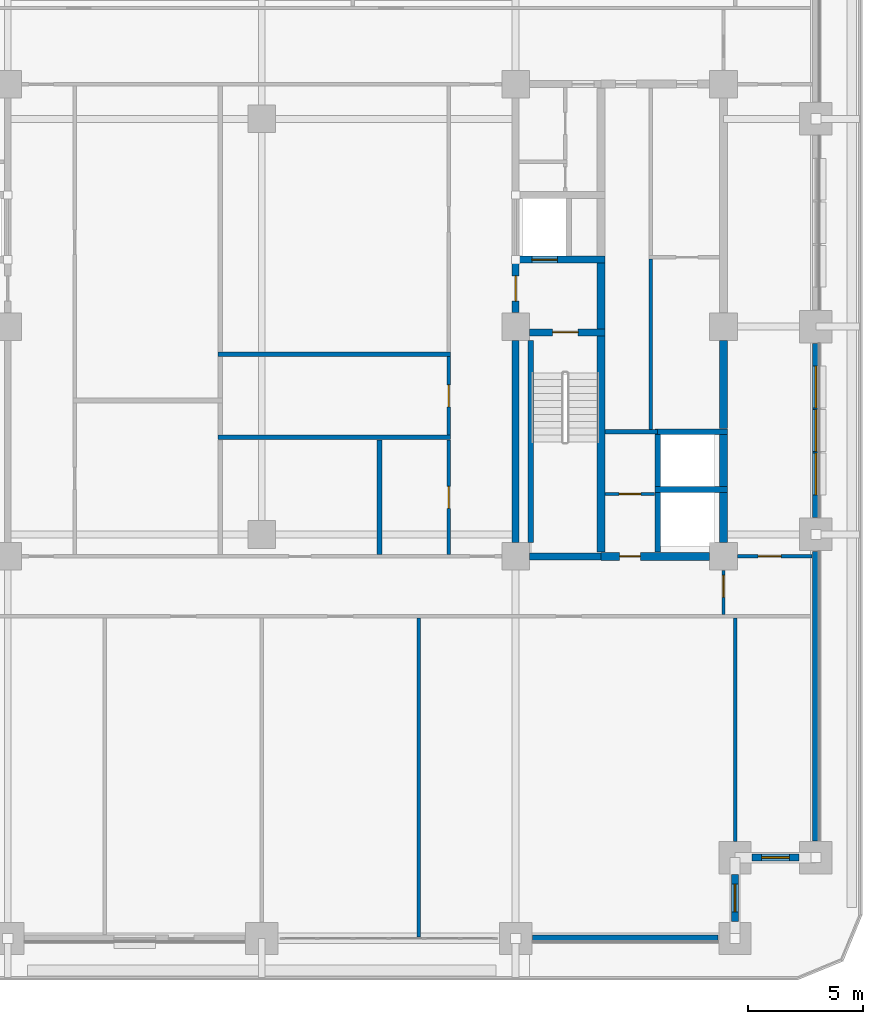
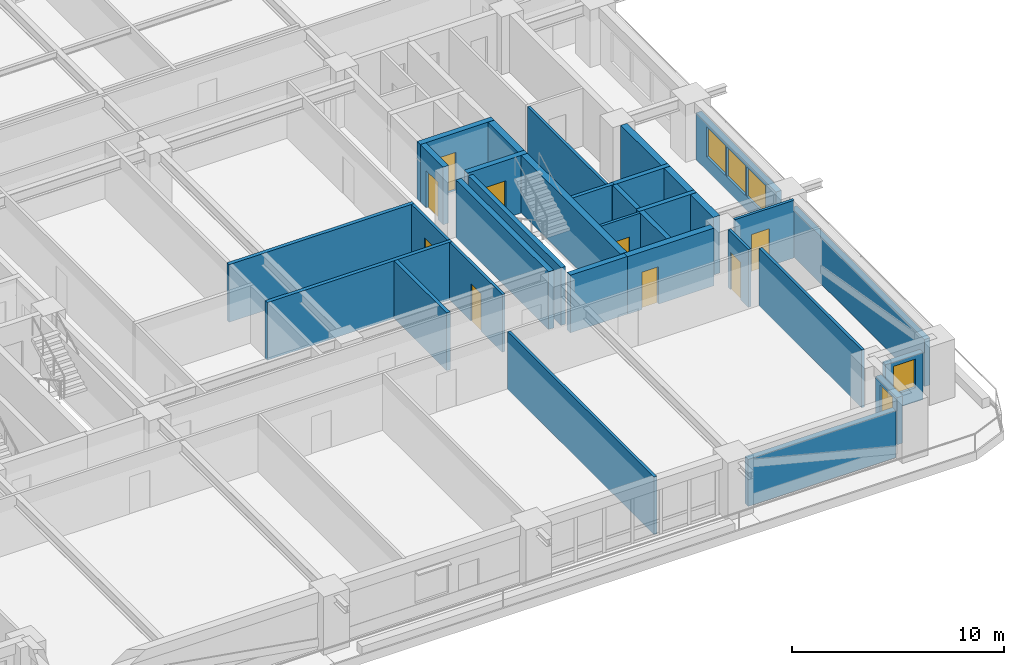
# One storey, part 9 of 20: 33 walls, 9 doors, 5 windows, 14 openings.
"""IFC4 building model written with IfcOpenShell, lengths in metres."""

from ifc_helpers import new_model, si_unit, direction, frame, frame_2d, origin, place, context, subcontext, project, spatial, rectangle, extrude, material, layer, layer_set, type_object, element, fill, save


model = new_model("IFC4")

# Units and contexts
model_context = context("Model", 3, precision=1e-05, world=origin(), true_north=direction((0.0, 1.0)))
body_context = subcontext(model_context, "Body", "Model", "MODEL_VIEW")
ifc_project = project(units=[si_unit("LENGTHUNIT", "METRE"), si_unit("AREAUNIT", "SQUARE_METRE"), si_unit("VOLUMEUNIT", "CUBIC_METRE"), si_unit("PLANEANGLEUNIT", "RADIAN"), si_unit("MASSUNIT", "GRAM", prefix="KILO")], contexts=[model_context])

# Site, building, storey
site_placement = place(None, origin())
site = spatial("IfcSite", under=ifc_project, at=site_placement, CompositionType="ELEMENT")
building_placement = place(site_placement, origin())
building = spatial("IfcBuilding", under=site, at=building_placement, Name="Zulmaris Gate Convention Tower", CompositionType="ELEMENT")
storey_placement = place(building_placement, frame((0.0, 0.0, 71.469970703125)))
storey = spatial("IfcBuildingStorey", under=building, at=storey_placement, Name="L17", CompositionType="ELEMENT", Elevation=71.469970703125)

# Walls
ifc_material_1 = material(Name="Concrete C50/60", Category="concrete")
ifc_layer_1 = layer(ifc_material_1, 0.25, Name="Concrete C50/60")
ifc_layer_set_1 = layer_set([ifc_layer_1], Name="Concrete C50/60")
wall_type_1 = type_object("IfcWallType", Name="CORE-250", PredefinedType="SOLIDWALL", material=ifc_layer_set_1)
for number, where, z_axis, x_axis, name in (
    (1, (17.02490234375, -7.050048828125, 0.0), (0.0, 0.0, 1.0), (1.0, 0.0, 0.0), "WL-L17-005"),
    (2, (17.02490234375, -4.550048828125, 0.0), (0.0, 0.0, 1.0), (1.0, 0.0, 0.0), "WL-L17-006"),
):
    element("IfcWall", number, at=place(storey_placement, frame(where, z_axis=z_axis, x_axis=x_axis)), inside=storey, type_object=wall_type_1, Name=name, PredefinedType="SOLIDWALL", context=body_context, shape_type="SweptSolid", body=[
        extrude(rectangle(XDim=3.150146484375, YDim=0.25, at=frame_2d((1.5751953125, 0.0))), origin(), (0.0, 0.0, 1.0), 3.320068359375),
    ])
wall_1_placement = place(storey_placement, frame((11.64990234375, -9.345947265625, 0.0), z_axis=(0.0, 0.0, 1.0), x_axis=(0.0, 1.0, 0.0)))
element("IfcWall", 3, at=wall_1_placement, inside=storey, type_object=wall_type_1, Name="WL-L17-061", PredefinedType="SOLIDWALL", context=body_context, shape_type="SweptSolid", body=[
    extrude(rectangle(XDim=8.741943359375, YDim=0.25, at=frame_2d((4.37109375, 0.0))), origin(), (0.0, 0.0, 1.0), 3.320068359375),
])
wall_2_placement = place(storey_placement, frame((17.14990234375, -9.77294921875, 0.0), z_axis=(0.0, 0.0, 1.0), x_axis=(0.0, 1.0, 0.0)))
element("IfcWall", 4, at=wall_2_placement, inside=storey, type_object=wall_type_1, Name="WL-L17-067", PredefinedType="SOLIDWALL", context=body_context, shape_type="SweptSolid", body=[
    extrude(rectangle(XDim=2.595947265625, YDim=0.25, at=frame_2d((1.2978515625, 0.0))), origin(), (0.0, 0.0, 1.0), 3.320068359375),
])
wall_3_placement = place(storey_placement, frame((17.14990234375, -6.923095703125, 0.0), z_axis=(0.0, 0.0, 1.0), x_axis=(0.0, 1.0, 0.0)))
element("IfcWall", 5, at=wall_3_placement, inside=storey, type_object=wall_type_1, Name="WL-L17-068", PredefinedType="SOLIDWALL", context=body_context, shape_type="SweptSolid", body=[
    extrude(rectangle(XDim=2.24609375, YDim=0.25, at=frame_2d((1.123046875, 0.0))), origin(), (0.0, 0.0, 1.0), 3.320068359375),
])
ifc_layer_2 = layer(ifc_material_1, 0.300048828125, Name="Concrete C50/60")
ifc_layer_set_2 = layer_set([ifc_layer_2], Name="Concrete C50/60")
wall_type_2 = type_object("IfcWallType", Name="CORE-300", PredefinedType="SHEAR", material=ifc_layer_set_2)
wall_4_placement = place(storey_placement, frame((11.60400390625, -9.949951171875, 0.0), z_axis=(0.0, 0.0, 1.0), x_axis=(1.0, 0.0, 0.0)))
element("IfcWall", 6, at=wall_4_placement, inside=storey, type_object=wall_type_2, Name="WL-L17-003", PredefinedType="SHEAR", context=body_context, shape_type="SweptSolid", body=[
    extrude(rectangle(XDim=3.095947265625, YDim=0.300048828125, at=frame_2d((1.5478515625, 0.0))), origin(), (0.0, 0.0, 1.0), 3.320068359375),
])

# Wall, opening, door
wall_5_placement = place(storey_placement, frame((11.60400390625, -0.25, 0.0), z_axis=(0.0, 0.0, 1.0), x_axis=(1.0, 0.0, 0.0)))
wall_5 = element("IfcWall", 7, at=wall_5_placement, inside=storey, type_object=wall_type_2, Name="WL-L17-008", PredefinedType="SHEAR", context=body_context, shape_type="SweptSolid", body=[
    extrude(rectangle(XDim=3.27099609375, YDim=0.300048828125, at=frame_2d((1.635498046875, 0.0))), origin(), (0.0, 0.0, 1.0), 3.320068359375),
])
opening_1_placement = place(wall_5_placement, frame((0.99609375, 0.0, 0.0)))
opening_1 = element("IfcOpeningElement", 8, at=opening_1_placement, cuts=wall_5, Name="Opening D-08", PredefinedType="OPENING", context=body_context, shape_type="SweptSolid", body=[
    extrude(rectangle(XDim=1.10009765625, YDim=2.14990234375, at=frame_2d((0.550048828125, 1.074951171875))), frame((0.0, 0.16015625, 0.0), z_axis=(0.0, -1.0, 0.0), x_axis=(1.0, 0.0, 0.0)), (0.0, 0.0, 1.0), 0.320068359375),
])
ifc_material_2 = material(Name="Fire-Rated Steel", Category="steel")
door_type_1 = type_object("IfcDoorType", Name="DR-1100-FD", OperationType="NOTDEFINED", PredefinedType="DOOR", material=ifc_material_2)
door_1_placement = place(opening_1_placement, origin())
door_1 = element("IfcDoor", 9, at=door_1_placement, inside=storey, type_object=door_type_1, Name="L17 Exit Stair ST-2 Door 04", OperationType="SINGLE_SWING_RIGHT", OverallHeight=2.14990234375, OverallWidth=1.10009765625, PredefinedType="DOOR", context=body_context, shape_type="SweptSolid", body=[
    extrude(rectangle(XDim=1.10009765625, YDim=2.14990234375, at=frame_2d((0.550048828125, 1.074951171875))), frame((0.0, 0.02490234375, 0.0), z_axis=(0.0, -1.0, 0.0), x_axis=(1.0, 0.0, 0.0)), (0.0, 0.0, 1.0), 0.050048828125),
])
fill(opening_1, door_1)

wall_6_placement = place(storey_placement, frame((10.85009765625, 2.89990234375, 0.0), z_axis=(0.0, 0.0, 1.0), x_axis=(1.0, 0.0, 0.0)))
wall_6 = element("IfcWall", 10, at=wall_6_placement, inside=storey, type_object=wall_type_2, Name="WL-L17-011", PredefinedType="SHEAR", context=body_context, shape_type="SweptSolid", body=[
    extrude(rectangle(XDim=4.02490234375, YDim=0.300048828125, at=frame_2d((2.012451171875, 0.0))), origin(), (0.0, 0.0, 1.0), 3.320068359375),
])
opening_2_placement = place(wall_6_placement, frame((0.85009765625, 0.0, 0.0)))
opening_2 = element("IfcOpeningElement", 11, at=opening_2_placement, cuts=wall_6, Name="Opening D-06", PredefinedType="OPENING", context=body_context, shape_type="SweptSolid", body=[
    extrude(rectangle(XDim=1.10009765625, YDim=2.199951171875, at=frame_2d((0.550048828125, 1.10009765625))), frame((0.0, 0.16015625, 0.0), z_axis=(0.0, -1.0, 0.0), x_axis=(1.0, 0.0, 0.0)), (0.0, 0.0, 1.0), 0.320068359375),
])
ifc_material_3 = material(Name="Brushed Stainless Steel", Category="steel")
door_type_2 = type_object("IfcDoorType", Name="LD-1100", OperationType="NOTDEFINED", PredefinedType="DOOR", material=ifc_material_3)
door_2_placement = place(opening_2_placement, origin())
door_2 = element("IfcDoor", 12, at=door_2_placement, inside=storey, type_object=door_type_2, Name="L17 Lift Landing Door LF-02 06", OperationType="SLIDING_TO_RIGHT", OverallHeight=2.199951171875, OverallWidth=1.10009765625, PredefinedType="DOOR", context=body_context, shape_type="SweptSolid", body=[
    extrude(rectangle(XDim=1.10009765625, YDim=2.199951171875, at=frame_2d((0.550048828125, 1.10009765625))), frame((0.0, 0.02490234375, 0.0), z_axis=(0.0, -1.0, 0.0), x_axis=(1.0, 0.0, 0.0)), (0.0, 0.0, 1.0), 0.050048828125),
])
fill(opening_2, door_2)

# Wall
wall_7_placement = place(storey_placement, frame((11.0, -9.345947265625, 0.0), z_axis=(0.0, 0.0, 1.0), x_axis=(0.0, 1.0, 0.0)))
element("IfcWall", 13, at=wall_7_placement, inside=storey, type_object=wall_type_2, Name="WL-L17-057", PredefinedType="SHEAR", context=body_context, shape_type="SweptSolid", body=[
    extrude(rectangle(XDim=8.741943359375, YDim=0.300048828125, at=frame_2d((4.37109375, 0.0))), origin(), (0.0, 0.0, 1.0), 3.320068359375),
])

# Wall, opening, door
wall_8_placement = place(storey_placement, frame((11.0, 0.60400390625, 0.0), z_axis=(0.0, 0.0, 1.0), x_axis=(0.0, 1.0, 0.0)))
wall_8 = element("IfcWall", 14, at=wall_8_placement, inside=storey, type_object=wall_type_2, Name="WL-L17-058", PredefinedType="SHEAR", context=body_context, shape_type="SweptSolid", body=[
    extrude(rectangle(XDim=2.14404296875, YDim=0.300048828125, at=frame_2d((1.072021484375, 0.0))), origin(), (0.0, 0.0, 1.0), 3.320068359375),
])
opening_3_placement = place(wall_8_placement, frame((0.49609375, 0.0, 0.0)))
opening_3 = element("IfcOpeningElement", 15, at=opening_3_placement, cuts=wall_8, Name="Opening D-08", PredefinedType="OPENING", context=body_context, shape_type="SweptSolid", body=[
    extrude(rectangle(XDim=1.10009765625, YDim=2.14990234375, at=frame_2d((0.550048828125, 1.074951171875))), frame((0.0, 0.16015625, 0.0), z_axis=(0.0, -1.0, 0.0), x_axis=(1.0, 0.0, 0.0)), (0.0, 0.0, 1.0), 0.320068359375),
])
door_3_placement = place(opening_3_placement, origin())
door_3 = element("IfcDoor", 16, at=door_3_placement, inside=storey, type_object=door_type_1, Name="L17 East Firefighting Lobby Door 05", OperationType="SINGLE_SWING_LEFT", OverallHeight=2.14990234375, OverallWidth=1.10009765625, PredefinedType="DOOR", context=body_context, shape_type="SweptSolid", body=[
    extrude(rectangle(XDim=1.10009765625, YDim=2.14990234375, at=frame_2d((0.550048828125, 1.074951171875))), frame((0.0, 0.02490234375, 0.0), z_axis=(0.0, -1.0, 0.0), x_axis=(1.0, 0.0, 0.0)), (0.0, 0.0, 1.0), 0.050048828125),
])
fill(opening_3, door_3)

ifc_material_4 = material(Name="Concrete C55/67", Category="concrete")
ifc_layer_3 = layer(ifc_material_4, 0.35009765625, Name="Concrete C55/67")
ifc_layer_set_3 = layer_set([ifc_layer_3], Name="Concrete C55/67")
wall_type_3 = type_object("IfcWallType", Name="CORE-350", PredefinedType="SHEAR", material=ifc_layer_set_3)
wall_9_placement = place(storey_placement, frame((14.699951171875, -9.949951171875, 0.0), z_axis=(0.0, 0.0, 1.0), x_axis=(1.0, 0.0, 0.0)))
wall_9 = element("IfcWall", 17, at=wall_9_placement, inside=storey, type_object=wall_type_3, Name="WL-L17-004", PredefinedType="SHEAR", context=body_context, shape_type="SweptSolid", body=[
    extrude(rectangle(XDim=4.696044921875, YDim=0.35009765625, at=frame_2d((2.34814453125, 0.0))), origin(), (0.0, 0.0, 1.0), 3.320068359375),
])
opening_4_placement = place(wall_9_placement, frame((0.800048828125, 0.0, 0.0)))
opening_4 = element("IfcOpeningElement", 18, at=opening_4_placement, cuts=wall_9, Name="Opening D-12", PredefinedType="OPENING", context=body_context, shape_type="SweptSolid", body=[
    extrude(rectangle(XDim=0.89990234375, YDim=2.14990234375, at=frame_2d((0.449951171875, 1.074951171875))), frame((0.0, 0.18505859375, 0.0), z_axis=(0.0, -1.0, 0.0), x_axis=(1.0, 0.0, 0.0)), (0.0, 0.0, 1.0), 0.3701171875),
])
ifc_material_5 = material(Name="Fire-Rated Timber", Category="wood")
door_type_3 = type_object("IfcDoorType", Name="DR-900-FD", OperationType="NOTDEFINED", PredefinedType="DOOR", material=ifc_material_5)
door_4_placement = place(opening_4_placement, origin())
door_4 = element("IfcDoor", 19, at=door_4_placement, inside=storey, type_object=door_type_3, Name="L17 East Cleaners Store Door 19", OperationType="SINGLE_SWING_RIGHT", OverallHeight=2.14990234375, OverallWidth=0.89990234375, PredefinedType="DOOR", context=body_context, shape_type="SweptSolid", body=[
    extrude(rectangle(XDim=0.89990234375, YDim=2.14990234375, at=frame_2d((0.449951171875, 1.074951171875))), frame((0.0, 0.02490234375, 0.0), z_axis=(0.0, -1.0, 0.0), x_axis=(1.0, 0.0, 0.0)), (0.0, 0.0, 1.0), 0.050048828125),
])
fill(opening_4, door_4)

# Walls
wall_10_placement = place(storey_placement, frame((14.699951171875, -9.77294921875, 0.0), z_axis=(0.0, 0.0, 1.0), x_axis=(0.0, 1.0, 0.0)))
element("IfcWall", 20, at=wall_10_placement, inside=storey, type_object=wall_type_3, Name="WL-L17-063", PredefinedType="SHEAR", context=body_context, shape_type="SweptSolid", body=[
    extrude(rectangle(XDim=9.370849609375, YDim=0.35009765625, at=frame_2d((4.685546875, 0.0))), origin(), (0.0, 0.0, 1.0), 3.320068359375),
])
wall_11_placement = place(storey_placement, frame((14.699951171875, -0.097900390625, 0.0), z_axis=(0.0, 0.0, 1.0), x_axis=(0.0, 1.0, 0.0)))
element("IfcWall", 21, at=wall_11_placement, inside=storey, type_object=wall_type_3, Name="WL-L17-064", PredefinedType="SHEAR", context=body_context, shape_type="SweptSolid", body=[
    extrude(rectangle(XDim=2.845947265625, YDim=0.35009765625, at=frame_2d((1.4228515625, 0.0))), origin(), (0.0, 0.0, 1.0), 3.320068359375),
])
wall_12_placement = place(storey_placement, frame((20.0, -9.345947265625, 0.0), z_axis=(0.0, 0.0, 1.0), x_axis=(0.0, 1.0, 0.0)))
element("IfcWall", 22, at=wall_12_placement, inside=storey, type_object=wall_type_3, Name="WL-L17-069", PredefinedType="SHEAR", context=body_context, shape_type="SweptSolid", body=[
    extrude(rectangle(XDim=2.1689453125, YDim=0.35009765625, at=frame_2d((1.08447265625, 0.0))), origin(), (0.0, 0.0, 1.0), 3.320068359375),
])
wall_13_placement = place(storey_placement, frame((20.0, -6.923095703125, 0.0), z_axis=(0.0, 0.0, 1.0), x_axis=(0.0, 1.0, 0.0)))
element("IfcWall", 23, at=wall_13_placement, inside=storey, type_object=wall_type_3, Name="WL-L17-070", PredefinedType="SHEAR", context=body_context, shape_type="SweptSolid", body=[
    extrude(rectangle(XDim=2.24609375, YDim=0.35009765625, at=frame_2d((1.123046875, 0.0))), origin(), (0.0, 0.0, 1.0), 3.320068359375),
])
wall_14_placement = place(storey_placement, frame((20.0, -4.423095703125, 0.0), z_axis=(0.0, 0.0, 1.0), x_axis=(0.0, 1.0, 0.0)))
element("IfcWall", 24, at=wall_14_placement, inside=storey, type_object=wall_type_3, Name="WL-L17-071", PredefinedType="SHEAR", context=body_context, shape_type="SweptSolid", body=[
    extrude(rectangle(XDim=3.819091796875, YDim=0.35009765625, at=frame_2d((1.90966796875, 0.0))), origin(), (0.0, 0.0, 1.0), 3.320068359375),
])

# Wall, opening, door
ifc_material_6 = material(Name="Gypsum Metal Stud Partition")
ifc_layer_4 = layer(ifc_material_6, 0.14990234375, Name="Gypsum Metal Stud Partition")
ifc_layer_set_4 = layer_set([ifc_layer_4], Name="Gypsum Metal Stud Partition")
wall_type_4 = type_object("IfcWallType", Name="PART-150", PredefinedType="PARTITIONING", material=ifc_layer_set_4)
wall_15_placement = place(storey_placement, frame((20.60595703125, -9.949951171875, 0.0), z_axis=(0.0, 0.0, 1.0), x_axis=(1.0, 0.0, 0.0)))
wall_15 = element("IfcWall", 25, at=wall_15_placement, inside=storey, type_object=wall_type_4, Name="WL-L17-023", PredefinedType="PARTITIONING", context=body_context, shape_type="SweptSolid", body=[
    extrude(rectangle(XDim=3.22900390625, YDim=0.14990234375, at=frame_2d((1.614501953125, 0.0))), origin(), (0.0, 0.0, 1.0), 3.320068359375),
])
opening_5_placement = place(wall_15_placement, frame((0.89404296875, 0.0, 0.0)))
opening_5 = element("IfcOpeningElement", 26, at=opening_5_placement, cuts=wall_15, Name="Opening D-10", PredefinedType="OPENING", context=body_context, shape_type="SweptSolid", body=[
    extrude(rectangle(XDim=1.0, YDim=2.14990234375, at=frame_2d((0.5, 1.074951171875))), frame((0.0, 0.0849609375, 0.0), z_axis=(0.0, -1.0, 0.0), x_axis=(1.0, 0.0, 0.0)), (0.0, 0.0, 1.0), 0.169921875),
])
door_type_4 = type_object("IfcDoorType", Name="DR-1000-FD", OperationType="NOTDEFINED", PredefinedType="DOOR", material=ifc_material_5)
door_5_placement = place(opening_5_placement, origin())
door_5 = element("IfcDoor", 27, at=door_5_placement, inside=storey, type_object=door_type_4, Name="L17 East Workplace South Door 47", OperationType="SINGLE_SWING_RIGHT", OverallHeight=2.14990234375, OverallWidth=1.0, PredefinedType="DOOR", context=body_context, shape_type="SweptSolid", body=[
    extrude(rectangle(XDim=1.0, YDim=2.14990234375, at=frame_2d((0.5, 1.074951171875))), frame((0.0, 0.02490234375, 0.0), z_axis=(0.0, -1.0, 0.0), x_axis=(1.0, 0.0, 0.0)), (0.0, 0.0, 1.0), 0.050048828125),
])
fill(opening_5, door_5)

wall_16_placement = place(storey_placement, frame((14.8779296875, -7.25, 0.0), z_axis=(0.0, 0.0, 1.0), x_axis=(1.0, 0.0, 0.0)))
wall_16 = element("IfcWall", 28, at=wall_16_placement, inside=storey, type_object=wall_type_4, Name="WL-L17-024", PredefinedType="PARTITIONING", context=body_context, shape_type="SweptSolid", body=[
    extrude(rectangle(XDim=2.14404296875, YDim=0.14990234375, at=frame_2d((1.072021484375, 0.0))), origin(), (0.0, 0.0, 1.0), 3.320068359375),
])
opening_6_placement = place(wall_16_placement, frame((0.596923828125, 0.0, 0.0)))
opening_6 = element("IfcOpeningElement", 29, at=opening_6_placement, cuts=wall_16, Name="Opening D-11", PredefinedType="OPENING", context=body_context, shape_type="SweptSolid", body=[
    extrude(rectangle(XDim=0.949951171875, YDim=2.14990234375, at=frame_2d((0.47509765625, 1.074951171875))), frame((0.0, 0.0849609375, 0.0), z_axis=(0.0, -1.0, 0.0), x_axis=(1.0, 0.0, 0.0)), (0.0, 0.0, 1.0), 0.169921875),
])
door_type_5 = type_object("IfcDoorType", Name="DR-950-FD", OperationType="NOTDEFINED", PredefinedType="DOOR", material=ifc_material_5)
door_6_placement = place(opening_6_placement, origin())
door_6 = element("IfcDoor", 30, at=door_6_placement, inside=storey, type_object=door_type_5, Name="L17 East Meter Store Door 20", OperationType="SINGLE_SWING_LEFT", OverallHeight=2.14990234375, OverallWidth=0.949951171875, PredefinedType="DOOR", context=body_context, shape_type="SweptSolid", body=[
    extrude(rectangle(XDim=0.949951171875, YDim=2.14990234375, at=frame_2d((0.47509765625, 1.074951171875))), frame((0.0, 0.02490234375, 0.0), z_axis=(0.0, -1.0, 0.0), x_axis=(1.0, 0.0, 0.0)), (0.0, 0.0, 1.0), 0.050048828125),
])
fill(opening_6, door_6)

# Wall
wall_17_placement = place(storey_placement, frame((6.800048828125, -26.43994140625, 0.0), z_axis=(0.0, 0.0, 1.0), x_axis=(0.0, 1.0, 0.0)))
element("IfcWall", 31, at=wall_17_placement, inside=storey, type_object=wall_type_4, Name="WL-L17-088", PredefinedType="PARTITIONING", context=body_context, shape_type="SweptSolid", body=[
    extrude(rectangle(XDim=13.81201171875, YDim=0.14990234375, at=frame_2d((6.906005859375, 0.0))), origin(), (0.0, 0.0, 1.0), 3.320068359375),
])

# Wall, opening, door
wall_18_placement = place(storey_placement, frame((8.10009765625, -9.8720703125, 0.0), z_axis=(0.0, 0.0, 1.0), x_axis=(0.0, 1.0, 0.0)))
wall_18 = element("IfcWall", 32, at=wall_18_placement, inside=storey, type_object=wall_type_4, Name="WL-L17-089", PredefinedType="PARTITIONING", context=body_context, shape_type="SweptSolid", body=[
    extrude(rectangle(XDim=4.968994140625, YDim=0.14990234375, at=frame_2d((2.484375, 0.0))), origin(), (0.0, 0.0, 1.0), 3.320068359375),
])
opening_7_placement = place(wall_18_placement, frame((1.9970703125, 0.0, 0.0)))
opening_7 = element("IfcOpeningElement", 33, at=opening_7_placement, cuts=wall_18, Name="Opening D-11", PredefinedType="OPENING", context=body_context, shape_type="SweptSolid", body=[
    extrude(rectangle(XDim=0.949951171875, YDim=2.14990234375, at=frame_2d((0.47509765625, 1.074951171875))), frame((0.0, 0.0849609375, 0.0), z_axis=(0.0, -1.0, 0.0), x_axis=(1.0, 0.0, 0.0)), (0.0, 0.0, 1.0), 0.169921875),
])
door_7_placement = place(opening_7_placement, origin())
door_7 = element("IfcDoor", 34, at=door_7_placement, inside=storey, type_object=door_type_5, Name="L17 Accessible WC Door 38", OperationType="SINGLE_SWING_LEFT", OverallHeight=2.14990234375, OverallWidth=0.949951171875, PredefinedType="DOOR", context=body_context, shape_type="SweptSolid", body=[
    extrude(rectangle(XDim=0.949951171875, YDim=2.14990234375, at=frame_2d((0.47509765625, 1.074951171875))), frame((0.0, 0.02490234375, 0.0), z_axis=(0.0, -1.0, 0.0), x_axis=(1.0, 0.0, 0.0)), (0.0, 0.0, 1.0), 0.050048828125),
])
fill(opening_7, door_7)

wall_19_placement = place(storey_placement, frame((8.10009765625, -4.697021484375, 0.0), z_axis=(0.0, 0.0, 1.0), x_axis=(0.0, 1.0, 0.0)))
wall_19 = element("IfcWall", 35, at=wall_19_placement, inside=storey, type_object=wall_type_4, Name="WL-L17-090", PredefinedType="PARTITIONING", context=body_context, shape_type="SweptSolid", body=[
    extrude(rectangle(XDim=3.39404296875, YDim=0.14990234375, at=frame_2d((1.697021484375, 0.0))), origin(), (0.0, 0.0, 1.0), 3.320068359375),
])
opening_8_placement = place(wall_19_placement, frame((1.221923828125, 0.0, 0.0)))
opening_8 = element("IfcOpeningElement", 36, at=opening_8_placement, cuts=wall_19, Name="Opening D-11", PredefinedType="OPENING", context=body_context, shape_type="SweptSolid", body=[
    extrude(rectangle(XDim=0.949951171875, YDim=2.14990234375, at=frame_2d((0.47509765625, 1.074951171875))), frame((0.0, 0.0849609375, 0.0), z_axis=(0.0, -1.0, 0.0), x_axis=(1.0, 0.0, 0.0)), (0.0, 0.0, 1.0), 0.169921875),
])
door_8_placement = place(opening_8_placement, origin())
door_8 = element("IfcDoor", 37, at=door_8_placement, inside=storey, type_object=door_type_5, Name="L17 Public WC Door 37", OperationType="SINGLE_SWING_RIGHT", OverallHeight=2.14990234375, OverallWidth=0.949951171875, PredefinedType="DOOR", context=body_context, shape_type="SweptSolid", body=[
    extrude(rectangle(XDim=0.949951171875, YDim=2.14990234375, at=frame_2d((0.47509765625, 1.074951171875))), frame((0.0, 0.02490234375, 0.0), z_axis=(0.0, -1.0, 0.0), x_axis=(1.0, 0.0, 0.0)), (0.0, 0.0, 1.0), 0.050048828125),
])
fill(opening_8, door_8)

# Wall
wall_20_placement = place(storey_placement, frame((16.85009765625, -4.447021484375, 0.0), z_axis=(0.0, 0.0, 1.0), x_axis=(0.0, 1.0, 0.0)))
element("IfcWall", 38, at=wall_20_placement, inside=storey, type_object=wall_type_4, Name="WL-L17-094", PredefinedType="PARTITIONING", context=body_context, shape_type="SweptSolid", body=[
    extrude(rectangle(XDim=7.369140625, YDim=0.14990234375, at=frame_2d((3.6845703125, 0.0))), origin(), (0.0, 0.0, 1.0), 3.320068359375),
])

# Wall, opening, door
wall_21_placement = place(storey_placement, frame((20.0, -12.471923828125, 0.0), z_axis=(0.0, 0.0, 1.0), x_axis=(0.0, 1.0, 0.0)))
wall_21 = element("IfcWall", 39, at=wall_21_placement, inside=storey, type_object=wall_type_4, Name="WL-L17-096", PredefinedType="PARTITIONING", context=body_context, shape_type="SweptSolid", body=[
    extrude(rectangle(XDim=1.916015625, YDim=0.14990234375, at=frame_2d((0.9580078125, 0.0))), origin(), (0.0, 0.0, 1.0), 3.320068359375),
])
opening_9_placement = place(wall_21_placement, frame((0.7470703125, 0.0, 0.0)))
opening_9 = element("IfcOpeningElement", 40, at=opening_9_placement, cuts=wall_21, Name="Opening D-11", PredefinedType="OPENING", context=body_context, shape_type="SweptSolid", body=[
    extrude(rectangle(XDim=0.949951171875, YDim=2.14990234375, at=frame_2d((0.47509765625, 1.074951171875))), frame((0.0, 0.0849609375, 0.0), z_axis=(0.0, -1.0, 0.0), x_axis=(1.0, 0.0, 0.0)), (0.0, 0.0, 1.0), 0.169921875),
])
door_9_placement = place(opening_9_placement, origin())
door_9 = element("IfcDoor", 41, at=door_9_placement, inside=storey, type_object=door_type_5, Name="L17 SE Spur Door 45", OperationType="SINGLE_SWING_RIGHT", OverallHeight=2.14990234375, OverallWidth=0.949951171875, PredefinedType="DOOR", context=body_context, shape_type="SweptSolid", body=[
    extrude(rectangle(XDim=0.949951171875, YDim=2.14990234375, at=frame_2d((0.47509765625, 1.074951171875))), frame((0.0, 0.02490234375, 0.0), z_axis=(0.0, -1.0, 0.0), x_axis=(1.0, 0.0, 0.0)), (0.0, 0.0, 1.0), 0.050048828125),
])
fill(opening_9, door_9)

# Walls
wall_22_placement = place(storey_placement, frame((20.5, -22.2939453125, 0.0), z_axis=(0.0, 0.0, 1.0), x_axis=(0.0, 1.0, 0.0)))
element("IfcWall", 42, at=wall_22_placement, inside=storey, type_object=wall_type_4, Name="WL-L17-098", PredefinedType="PARTITIONING", context=body_context, shape_type="SweptSolid", body=[
    extrude(rectangle(XDim=9.666015625, YDim=0.14990234375, at=frame_2d((4.8330078125, 0.0))), origin(), (0.0, 0.0, 1.0), 3.320068359375),
])
ifc_material_7 = material(Name="Autoclaved Aerated Concrete Block and Plasterboard", Category="concrete")
ifc_layer_5 = layer(ifc_material_7, 0.199951171875, Name="Autoclaved Aerated Concrete Block and Plasterboard")
ifc_layer_set_5 = layer_set([ifc_layer_5], Name="Autoclaved Aerated Concrete Block and Plasterboard")
wall_type_5 = type_object("IfcWallType", Name="PART-200", PredefinedType="PARTITIONING", material=ifc_layer_set_5)
wall_23_placement = place(storey_placement, frame((-1.89990234375, -4.800048828125, 0.0), z_axis=(0.0, 0.0, 1.0), x_axis=(1.0, 0.0, 0.0)))
element("IfcWall", 43, at=wall_23_placement, inside=storey, type_object=wall_type_5, Name="WL-L17-025", PredefinedType="PARTITIONING", context=body_context, shape_type="SweptSolid", body=[
    extrude(rectangle(XDim=10.074951171875, YDim=0.199951171875, at=frame_2d((5.03759765625, 0.0))), origin(), (0.0, 0.0, 1.0), 3.320068359375),
])
wall_24_placement = place(storey_placement, frame((14.8779296875, -4.550048828125, 0.0), z_axis=(0.0, 0.0, 1.0), x_axis=(1.0, 0.0, 0.0)))
element("IfcWall", 44, at=wall_24_placement, inside=storey, type_object=wall_type_5, Name="WL-L17-026", PredefinedType="PARTITIONING", context=body_context, shape_type="SweptSolid", body=[
    extrude(rectangle(XDim=2.27197265625, YDim=0.199951171875, at=frame_2d((1.135986328125, 0.0))), origin(), (0.0, 0.0, 1.0), 3.320068359375),
])
wall_25_placement = place(storey_placement, frame((-1.89990234375, -1.199951171875, 0.0), z_axis=(0.0, 0.0, 1.0), x_axis=(1.0, 0.0, 0.0)))
element("IfcWall", 45, at=wall_25_placement, inside=storey, type_object=wall_type_5, Name="WL-L17-029", PredefinedType="PARTITIONING", context=body_context, shape_type="SweptSolid", body=[
    extrude(rectangle(XDim=10.074951171875, YDim=0.199951171875, at=frame_2d((5.03759765625, 0.0))), origin(), (0.0, 0.0, 1.0), 3.320068359375),
])
wall_26_placement = place(storey_placement, frame((5.10009765625, -9.8720703125, 0.0), z_axis=(0.0, 0.0, 1.0), x_axis=(0.0, 1.0, 0.0)))
element("IfcWall", 46, at=wall_26_placement, inside=storey, type_object=wall_type_5, Name="WL-L17-087", PredefinedType="PARTITIONING", context=body_context, shape_type="SweptSolid", body=[
    extrude(rectangle(XDim=4.968994140625, YDim=0.199951171875, at=frame_2d((2.484375, 0.0))), origin(), (0.0, 0.0, 1.0), 3.320068359375),
])

# Wall, opening, window
ifc_material_8 = material(Name="Precast concrete C40/50", Category="concrete")
ifc_layer_6 = layer(ifc_material_8, 0.300048828125, Name="Precast concrete C40/50")
ifc_layer_set_6 = layer_set([ifc_layer_6], Name="Precast concrete C40/50")
wall_type_6 = type_object("IfcWallType", Name="PRECAST-PIER-300", PredefinedType="STANDARD", material=ifc_layer_set_6)
wall_27_placement = place(storey_placement, frame((20.5, -25.77001953125, 0.0), z_axis=(0.0, 0.0, 1.0), x_axis=(0.0, 1.0, 0.0)))
wall_27 = element("IfcWall", 47, at=wall_27_placement, inside=storey, type_object=wall_type_6, Name="EW-L17-NOTCH-SE1_0", PredefinedType="STANDARD", context=body_context, shape_type="SweptSolid", body=[
    extrude(rectangle(XDim=2.0400390625, YDim=0.300048828125, at=frame_2d((1.02001953125, 0.0))), origin(), (0.0, 0.0, 1.0), 2.7119140625),
])
opening_10_placement = place(wall_27_placement, frame((0.419921875, 0.0, 0.820068359375)))
opening_10 = element("IfcOpeningElement", 48, at=opening_10_placement, cuts=wall_27, Name="Opening W-04", PredefinedType="OPENING", context=body_context, shape_type="SweptSolid", body=[
    extrude(rectangle(XDim=1.199951171875, YDim=1.64990234375, at=frame_2d((0.60009765625, 0.824951171875))), frame((0.0, 0.16015625, 0.0), z_axis=(0.0, -1.0, 0.0), x_axis=(1.0, 0.0, 0.0)), (0.0, 0.0, 1.0), 0.320068359375),
])
ifc_material_9 = material(Name="Low-E Laminated Double Glazing in Aluminium Frame", Category="aluminium")
window_type_1 = type_object("IfcWindowType", Name="WIN-1200x2100", PartitioningType="SINGLE_PANEL", PredefinedType="WINDOW", material=ifc_material_9)
window_1_placement = place(opening_10_placement, origin())
window_1 = element("IfcWindow", 49, at=window_1_placement, inside=storey, type_object=window_type_1, Name="WN-EW-L17-NOTCH-SE1_0", OverallHeight=1.64990234375, OverallWidth=1.199951171875, PartitioningType="SINGLE_PANEL", PredefinedType="WINDOW", context=body_context, shape_type="SweptSolid", body=[
    extrude(rectangle(XDim=1.199951171875, YDim=1.64990234375, at=frame_2d((0.60009765625, 0.824951171875))), frame((0.0, 0.030029296875, 0.0), z_axis=(0.0, -1.0, 0.0), x_axis=(1.0, 0.0, 0.0)), (0.0, 0.0, 1.0), 0.06005859375),
])
fill(opening_10, window_1)

wall_28_placement = place(storey_placement, frame((21.22998046875, -23.0, 0.0), z_axis=(0.0, 0.0, 1.0), x_axis=(1.0, 0.0, 0.0)))
wall_28 = element("IfcWall", 50, at=wall_28_placement, inside=storey, type_object=wall_type_6, Name="EW-L17-NOTCH-SE2_0", PredefinedType="STANDARD", context=body_context, shape_type="SweptSolid", body=[
    extrude(rectangle(XDim=2.0400390625, YDim=0.300048828125, at=frame_2d((1.02001953125, 0.0))), origin(), (0.0, 0.0, 1.0), 2.7119140625),
])
opening_11_placement = place(wall_28_placement, frame((0.419921875, 0.0, 0.820068359375)))
opening_11 = element("IfcOpeningElement", 51, at=opening_11_placement, cuts=wall_28, Name="Opening W-04", PredefinedType="OPENING", context=body_context, shape_type="SweptSolid", body=[
    extrude(rectangle(XDim=1.199951171875, YDim=1.64990234375, at=frame_2d((0.60009765625, 0.824951171875))), frame((0.0, 0.16015625, 0.0), z_axis=(0.0, -1.0, 0.0), x_axis=(1.0, 0.0, 0.0)), (0.0, 0.0, 1.0), 0.320068359375),
])
window_2_placement = place(opening_11_placement, origin())
window_2 = element("IfcWindow", 52, at=window_2_placement, inside=storey, type_object=window_type_1, Name="WN-EW-L17-NOTCH-SE2_0", OverallHeight=1.64990234375, OverallWidth=1.199951171875, PartitioningType="SINGLE_PANEL", PredefinedType="WINDOW", context=body_context, shape_type="SweptSolid", body=[
    extrude(rectangle(XDim=1.199951171875, YDim=1.64990234375, at=frame_2d((0.60009765625, 0.824951171875))), frame((0.0, 0.030029296875, 0.0), z_axis=(0.0, -1.0, 0.0), x_axis=(1.0, 0.0, 0.0)), (0.0, 0.0, 1.0), 0.06005859375),
])
fill(opening_11, window_2)

# Walls
wall_29_placement = place(storey_placement, frame((11.72998046875, -26.5, 0.0), z_axis=(0.0, 0.0, 1.0), x_axis=(1.0, 0.0, 0.0)))
element("IfcWall", 53, at=wall_29_placement, inside=storey, type_object=wall_type_6, Name="EW-L17-S-3_0", PredefinedType="STANDARD", context=body_context, shape_type="SweptSolid", body=[
    extrude(rectangle(XDim=8.0400390625, YDim=0.300048828125, at=frame_2d((4.02001953125, 0.0))), origin(), (0.0, 0.0, 1.0), 2.7119140625),
])
wall_30_placement = place(storey_placement, frame((24.0, -22.27001953125, 0.0), z_axis=(0.0, 0.0, 1.0), x_axis=(0.0, 1.0, 0.0)))
element("IfcWall", 54, at=wall_30_placement, inside=storey, type_object=wall_type_6, Name="EW-L17-E-0_0", PredefinedType="STANDARD", context=body_context, shape_type="SweptSolid", body=[
    extrude(rectangle(XDim=12.5400390625, YDim=0.300048828125, at=frame_2d((6.27001953125, 0.0))), origin(), (0.0, 0.0, 1.0), 2.7119140625),
])

# Wall, openings, windows
wall_31_placement = place(storey_placement, frame((24.0, -8.27001953125, 0.0), z_axis=(0.0, 0.0, 1.0), x_axis=(0.0, 1.0, 0.0)))
wall_31 = element("IfcWall", 55, at=wall_31_placement, inside=storey, type_object=wall_type_6, Name="EW-L17-E-1_0", PredefinedType="STANDARD", context=body_context, shape_type="SweptSolid", body=[
    extrude(rectangle(XDim=7.5400390625, YDim=0.300048828125, at=frame_2d((3.77001953125, 0.0))), origin(), (0.0, 0.0, 1.0), 2.7119140625),
])
opening_12_placement = place(wall_31_placement, frame((0.985107421875, 0.0, 0.780029296875)))
opening_12 = element("IfcOpeningElement", 56, at=opening_12_placement, cuts=wall_31, Name="Opening W-02", PredefinedType="OPENING", context=body_context, shape_type="SweptSolid", body=[
    extrude(rectangle(XDim=1.800048828125, YDim=1.719970703125, at=frame_2d((0.89990234375, 0.85986328125))), frame((0.0, 0.16015625, 0.0), z_axis=(0.0, -1.0, 0.0), x_axis=(1.0, 0.0, 0.0)), (0.0, 0.0, 1.0), 0.320068359375),
])
opening_13_placement = place(wall_31_placement, frame((2.8701171875, 0.0, 0.780029296875)))
opening_13 = element("IfcOpeningElement", 57, at=opening_13_placement, cuts=wall_31, Name="Opening W-02", PredefinedType="OPENING", context=body_context, shape_type="SweptSolid", body=[
    extrude(rectangle(XDim=1.800048828125, YDim=1.719970703125, at=frame_2d((0.89990234375, 0.85986328125))), frame((0.0, 0.16015625, 0.0), z_axis=(0.0, -1.0, 0.0), x_axis=(1.0, 0.0, 0.0)), (0.0, 0.0, 1.0), 0.320068359375),
])
opening_14_placement = place(wall_31_placement, frame((4.7548828125, 0.0, 0.780029296875)))
opening_14 = element("IfcOpeningElement", 58, at=opening_14_placement, cuts=wall_31, Name="Opening W-02", PredefinedType="OPENING", context=body_context, shape_type="SweptSolid", body=[
    extrude(rectangle(XDim=1.800048828125, YDim=1.719970703125, at=frame_2d((0.89990234375, 0.85986328125))), frame((0.0, 0.16015625, 0.0), z_axis=(0.0, -1.0, 0.0), x_axis=(1.0, 0.0, 0.0)), (0.0, 0.0, 1.0), 0.320068359375),
])
window_type_2 = type_object("IfcWindowType", Name="WIN-1800x2200", PartitioningType="SINGLE_PANEL", PredefinedType="WINDOW", material=ifc_material_9)
window_3_placement = place(opening_12_placement, origin())
window_3 = element("IfcWindow", 59, at=window_3_placement, inside=storey, type_object=window_type_2, Name="WN-EW-L17-E-1_0-1", OverallHeight=1.719970703125, OverallWidth=1.800048828125, PartitioningType="SINGLE_PANEL", PredefinedType="WINDOW", context=body_context, shape_type="SweptSolid", body=[
    extrude(rectangle(XDim=1.800048828125, YDim=1.719970703125, at=frame_2d((0.89990234375, 0.85986328125))), frame((0.0, 0.030029296875, 0.0), z_axis=(0.0, -1.0, 0.0), x_axis=(1.0, 0.0, 0.0)), (0.0, 0.0, 1.0), 0.06005859375),
])
fill(opening_12, window_3)
window_4_placement = place(opening_13_placement, origin())
window_4 = element("IfcWindow", 60, at=window_4_placement, inside=storey, type_object=window_type_2, Name="WN-EW-L17-E-1_0-2", OverallHeight=1.719970703125, OverallWidth=1.800048828125, PartitioningType="SINGLE_PANEL", PredefinedType="WINDOW", context=body_context, shape_type="SweptSolid", body=[
    extrude(rectangle(XDim=1.800048828125, YDim=1.719970703125, at=frame_2d((0.89990234375, 0.85986328125))), frame((0.0, 0.030029296875, 0.0), z_axis=(0.0, -1.0, 0.0), x_axis=(1.0, 0.0, 0.0)), (0.0, 0.0, 1.0), 0.06005859375),
])
fill(opening_13, window_4)
window_5_placement = place(opening_14_placement, origin())
window_5 = element("IfcWindow", 61, at=window_5_placement, inside=storey, type_object=window_type_2, Name="WN-EW-L17-E-1_0-3", OverallHeight=1.719970703125, OverallWidth=1.800048828125, PartitioningType="SINGLE_PANEL", PredefinedType="WINDOW", context=body_context, shape_type="SweptSolid", body=[
    extrude(rectangle(XDim=1.800048828125, YDim=1.719970703125, at=frame_2d((0.89990234375, 0.85986328125))), frame((0.0, 0.030029296875, 0.0), z_axis=(0.0, -1.0, 0.0), x_axis=(1.0, 0.0, 0.0)), (0.0, 0.0, 1.0), 0.06005859375),
])
fill(opening_14, window_5)

save(model, "model.ifc")
